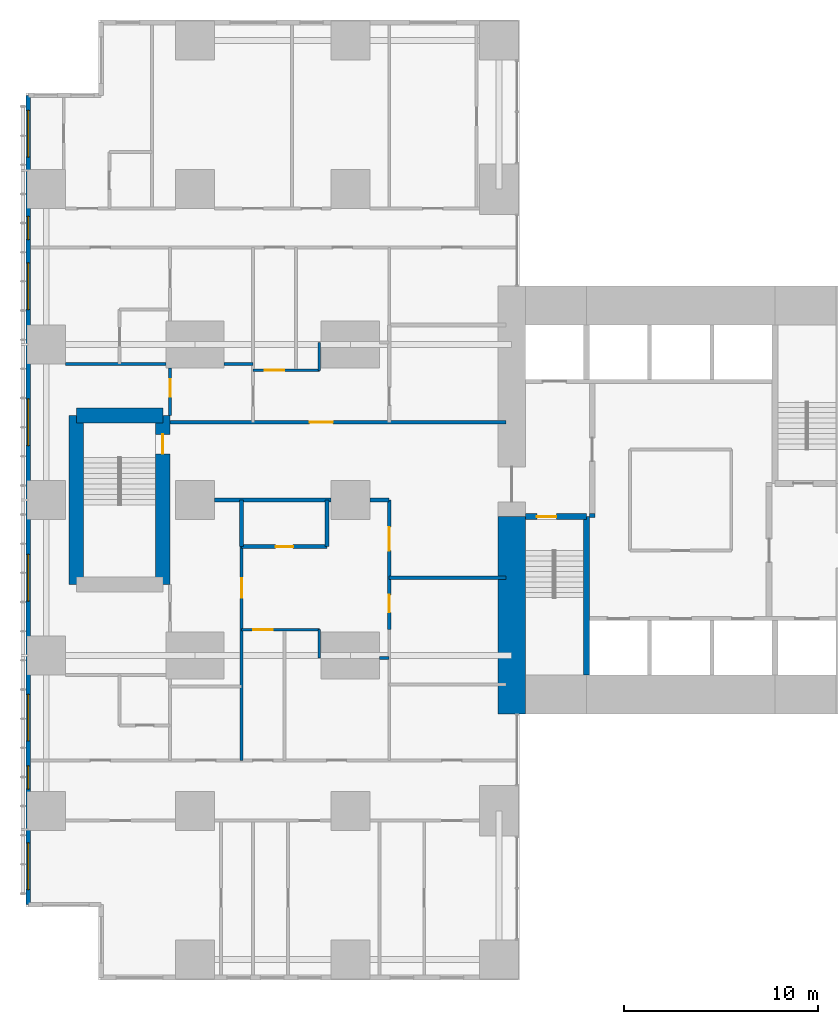
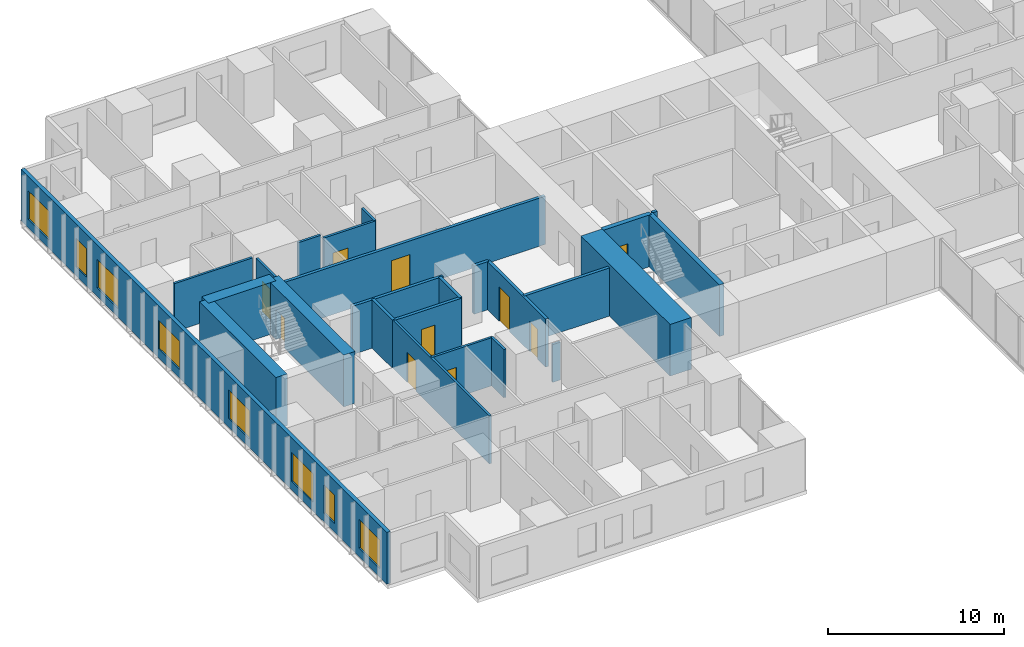
# One storey, part 13 of 20: 25 walls, 10 doors, 8 windows, 18 openings.
"""IFC4 building model written with IfcOpenShell, lengths in metres."""

from ifc_helpers import new_model, si_unit, direction, frame, frame_2d, origin, place, context, subcontext, project, spatial, rectangle, extrude, material, layer, layer_set, type_object, element, fill, save


model = new_model("IFC4")

# Units and contexts
model_context = context("Model", 3, precision=1e-05, world=origin(), true_north=direction((0.0, 1.0)))
body_context = subcontext(model_context, "Body", "Model", "MODEL_VIEW")
ifc_project = project(units=[si_unit("LENGTHUNIT", "METRE"), si_unit("AREAUNIT", "SQUARE_METRE"), si_unit("VOLUMEUNIT", "CUBIC_METRE"), si_unit("PLANEANGLEUNIT", "RADIAN"), si_unit("MASSUNIT", "GRAM", prefix="KILO")], contexts=[model_context])

# Site, building, storey
site_placement = place(None, origin())
site = spatial("IfcSite", under=ifc_project, at=site_placement, CompositionType="ELEMENT")
building_placement = place(site_placement, origin())
building = spatial("IfcBuilding", under=site, at=building_placement, Name="Cleftline Residences", CompositionType="ELEMENT")
storey_placement = place(building_placement, frame((0.0, 0.0, 33.199951171875)))
storey = spatial("IfcBuildingStorey", under=building, at=storey_placement, Name="L07", CompositionType="ELEMENT", Elevation=33.199951171875)

# Walls
ifc_material_1 = material(Name="Concrete B70", Category="concrete")
ifc_layer_1 = layer(ifc_material_1, 1.39990234375)
ifc_layer_set_1 = layer_set([ifc_layer_1], Name="CORE WALL 1400")
wall_type_1 = type_object("IfcWallType", Name="CORE WALL 1400", PredefinedType="SHEAR", material=ifc_layer_set_1)
wall_1_placement = place(storey_placement, frame((24.300048828125, 13.0, 0.0), z_axis=(0.0, 0.0, 1.0), x_axis=(0.0, 1.0, 0.0)))
element("IfcWall", 1, at=wall_1_placement, inside=storey, type_object=wall_type_1, Name="Core wall W0", PredefinedType="SHEAR", context=body_context, shape_type="SweptSolid", body=[
    extrude(rectangle(XDim=10.14990234375, YDim=1.39990234375, at=frame_2d((5.074951171875, 0.0))), origin(), (0.0, 0.0, 1.0), 3.60009765625),
])
ifc_material_2 = material(Name="Concrete B70", Category="concrete")
ifc_layer_2 = layer(ifc_material_2, 0.300048828125)
ifc_layer_set_2 = layer_set([ifc_layer_2], Name="CORE WALL 300")
wall_type_2 = type_object("IfcWallType", Name="CORE WALL 300", PredefinedType="SHEAR", material=ifc_layer_set_2)
wall_2_placement = place(storey_placement, frame((28.14990234375, 15.0, 0.0), z_axis=(0.0, 0.0, 1.0), x_axis=(0.0, 1.0, 0.0)))
element("IfcWall", 2, at=wall_2_placement, inside=storey, type_object=wall_type_2, Name="Core wall SA-E", PredefinedType="SHEAR", context=body_context, shape_type="SweptSolid", body=[
    extrude(rectangle(XDim=8.14990234375, YDim=0.300048828125, at=frame_2d((4.074951171875, 0.0))), origin(), (0.0, 0.0, 1.0), 3.60009765625),
])

# Wall, opening, door
wall_3_placement = place(storey_placement, frame((25.0, 23.14990234375, 0.0), z_axis=(0.0, 0.0, 1.0), x_axis=(1.0, 0.0, 0.0)))
wall_3 = element("IfcWall", 3, at=wall_3_placement, inside=storey, type_object=wall_type_2, Name="Core wall SA-N", PredefinedType="SHEAR", context=body_context, shape_type="SweptSolid", body=[
    extrude(rectangle(XDim=3.14990234375, YDim=0.300048828125, at=frame_2d((1.574951171875, 0.0))), origin(), (0.0, 0.0, 1.0), 3.60009765625),
])
opening_1_placement = place(wall_3_placement, frame((0.60009765625, 0.0, 0.0)))
opening_1 = element("IfcOpeningElement", 4, at=opening_1_placement, cuts=wall_3, Name="Opening D5", PredefinedType="OPENING", context=body_context, shape_type="SweptSolid", body=[
    extrude(rectangle(XDim=1.0, YDim=2.10009765625, at=frame_2d((0.5, 1.050048828125))), frame((0.0, 0.159912109375, 0.0), z_axis=(0.0, -1.0, 0.0), x_axis=(1.0, 0.0, 0.0)), (0.0, 0.0, 1.0), 0.320068359375),
])
ifc_material_3 = material(Name="Steel", Category="steel")
door_type_1 = type_object("IfcDoorType", Name="STAIR DOOR 1000X2100", OperationType="SINGLE_SWING_LEFT", PredefinedType="DOOR", material=ifc_material_3)
door_1_placement = place(opening_1_placement, origin())
door_1 = element("IfcDoor", 5, at=door_1_placement, inside=storey, type_object=door_type_1, Name="Stair A door", OperationType="SINGLE_SWING_RIGHT", OverallHeight=2.10009765625, OverallWidth=1.0, PredefinedType="DOOR", context=body_context, shape_type="SweptSolid", body=[
    extrude(rectangle(XDim=1.0, YDim=2.10009765625, at=frame_2d((0.5, 1.050048828125))), frame((0.0, 0.02490234375, 0.0), z_axis=(0.0, -1.0, 0.0), x_axis=(1.0, 0.0, 0.0)), (0.0, 0.0, 1.0), 0.050048828125),
])
fill(opening_1, door_1)

# Wall, openings, windows
ifc_material_4 = material(Name="Rendered reinforced concrete blockwork", Category="masonry")
ifc_layer_3 = layer(ifc_material_4, 0.25)
ifc_layer_set_3 = layer_set([ifc_layer_3], Name="EXTERNAL WALL 250")
wall_type_3 = type_object("IfcWallType", Name="EXTERNAL WALL 250", PredefinedType="SOLIDWALL", material=ifc_layer_set_3)
wall_4_placement = place(storey_placement, frame((-0.574951171875, 44.824951171875, 0.0), z_axis=(0.0, 0.0, 1.0), x_axis=(0.0, -1.0, 0.0)))
wall_4 = element("IfcWall", 6, at=wall_4_placement, inside=storey, type_object=wall_type_3, Name="External wall", PredefinedType="SOLIDWALL", context=body_context, shape_type="SweptSolid", body=[
    extrude(rectangle(XDim=41.64990234375, YDim=0.25, at=frame_2d((20.824951171875, 0.0))), origin(), (0.0, 0.0, 1.0), 3.60009765625),
])
opening_2_placement = place(wall_4_placement, frame((0.77490234375, 0.0, 0.60009765625)))
opening_2 = element("IfcOpeningElement", 7, at=opening_2_placement, cuts=wall_4, Name="Opening W6", PredefinedType="OPENING", context=body_context, shape_type="SweptSolid", body=[
    extrude(rectangle(XDim=2.39990234375, YDim=2.0, at=frame_2d((1.199951171875, 1.0))), frame((0.0, 0.135009765625, 0.0), z_axis=(0.0, -1.0, 0.0), x_axis=(1.0, 0.0, 0.0)), (0.0, 0.0, 1.0), 0.27001953125),
])
opening_3_placement = place(wall_4_placement, frame((6.22509765625, 0.0, 0.60009765625)))
opening_3 = element("IfcOpeningElement", 8, at=opening_3_placement, cuts=wall_4, Name="Opening W8", PredefinedType="OPENING", context=body_context, shape_type="SweptSolid", body=[
    extrude(rectangle(XDim=1.199951171875, YDim=2.0, at=frame_2d((0.60009765625, 1.0))), frame((0.0, 0.135009765625, 0.0), z_axis=(0.0, -1.0, 0.0), x_axis=(1.0, 0.0, 0.0)), (0.0, 0.0, 1.0), 0.27001953125),
])
opening_4_placement = place(wall_4_placement, frame((8.625, 0.0, 0.60009765625)))
opening_4 = element("IfcOpeningElement", 9, at=opening_4_placement, cuts=wall_4, Name="Opening W6", PredefinedType="OPENING", context=body_context, shape_type="SweptSolid", body=[
    extrude(rectangle(XDim=2.39990234375, YDim=2.0, at=frame_2d((1.199951171875, 1.0))), frame((0.0, 0.135009765625, 0.0), z_axis=(0.0, -1.0, 0.0), x_axis=(1.0, 0.0, 0.0)), (0.0, 0.0, 1.0), 0.27001953125),
])
opening_5_placement = place(wall_4_placement, frame((15.625, 0.0, 0.60009765625)))
opening_5 = element("IfcOpeningElement", 10, at=opening_5_placement, cuts=wall_4, Name="Opening W6", PredefinedType="OPENING", context=body_context, shape_type="SweptSolid", body=[
    extrude(rectangle(XDim=2.39990234375, YDim=2.0, at=frame_2d((1.199951171875, 1.0))), frame((0.0, 0.135009765625, 0.0), z_axis=(0.0, -1.0, 0.0), x_axis=(1.0, 0.0, 0.0)), (0.0, 0.0, 1.0), 0.27001953125),
])
opening_6_placement = place(wall_4_placement, frame((23.625, 0.0, 0.60009765625)))
opening_6 = element("IfcOpeningElement", 11, at=opening_6_placement, cuts=wall_4, Name="Opening W6", PredefinedType="OPENING", context=body_context, shape_type="SweptSolid", body=[
    extrude(rectangle(XDim=2.39990234375, YDim=2.0, at=frame_2d((1.199951171875, 1.0))), frame((0.0, 0.135009765625, 0.0), z_axis=(0.0, -1.0, 0.0), x_axis=(1.0, 0.0, 0.0)), (0.0, 0.0, 1.0), 0.27001953125),
])
opening_7_placement = place(wall_4_placement, frame((30.824951171875, 0.0, 0.60009765625)))
opening_7 = element("IfcOpeningElement", 12, at=opening_7_placement, cuts=wall_4, Name="Opening W6", PredefinedType="OPENING", context=body_context, shape_type="SweptSolid", body=[
    extrude(rectangle(XDim=2.39990234375, YDim=2.0, at=frame_2d((1.199951171875, 1.0))), frame((0.0, 0.135009765625, 0.0), z_axis=(0.0, -1.0, 0.0), x_axis=(1.0, 0.0, 0.0)), (0.0, 0.0, 1.0), 0.27001953125),
])
opening_8_placement = place(wall_4_placement, frame((34.5, 0.0, 0.60009765625)))
opening_8 = element("IfcOpeningElement", 13, at=opening_8_placement, cuts=wall_4, Name="Opening W8", PredefinedType="OPENING", context=body_context, shape_type="SweptSolid", body=[
    extrude(rectangle(XDim=1.199951171875, YDim=2.0, at=frame_2d((0.60009765625, 1.0))), frame((0.0, 0.135009765625, 0.0), z_axis=(0.0, -1.0, 0.0), x_axis=(1.0, 0.0, 0.0)), (0.0, 0.0, 1.0), 0.27001953125),
])
opening_9_placement = place(wall_4_placement, frame((38.47509765625, 0.0, 0.60009765625)))
opening_9 = element("IfcOpeningElement", 14, at=opening_9_placement, cuts=wall_4, Name="Opening W6", PredefinedType="OPENING", context=body_context, shape_type="SweptSolid", body=[
    extrude(rectangle(XDim=2.39990234375, YDim=2.0, at=frame_2d((1.199951171875, 1.0))), frame((0.0, 0.135009765625, 0.0), z_axis=(0.0, -1.0, 0.0), x_axis=(1.0, 0.0, 0.0)), (0.0, 0.0, 1.0), 0.27001953125),
])
ifc_material_5 = material(Name="Aluminium frame, clear double glazing", Category="aluminium")
window_type_1 = type_object("IfcWindowType", Name="WINDOW 1200X2000", PartitioningType="DOUBLE_PANEL_VERTICAL", PredefinedType="WINDOW", material=ifc_material_5)
window_1_placement = place(opening_3_placement, origin())
window_1 = element("IfcWindow", 15, at=window_1_placement, inside=storey, type_object=window_type_1, Name="Window", OverallHeight=2.0, OverallWidth=1.199951171875, PartitioningType="SINGLE_PANEL", PredefinedType="WINDOW", context=body_context, shape_type="SweptSolid", body=[
    extrude(rectangle(XDim=1.199951171875, YDim=2.0, at=frame_2d((0.60009765625, 1.0))), frame((0.0, 0.030029296875, 0.0), z_axis=(0.0, -1.0, 0.0), x_axis=(1.0, 0.0, 0.0)), (0.0, 0.0, 1.0), 0.06005859375),
])
fill(opening_3, window_1)
window_2_placement = place(opening_8_placement, origin())
window_2 = element("IfcWindow", 16, at=window_2_placement, inside=storey, type_object=window_type_1, Name="Window", OverallHeight=2.0, OverallWidth=1.199951171875, PartitioningType="SINGLE_PANEL", PredefinedType="WINDOW", context=body_context, shape_type="SweptSolid", body=[
    extrude(rectangle(XDim=1.199951171875, YDim=2.0, at=frame_2d((0.60009765625, 1.0))), frame((0.0, 0.030029296875, 0.0), z_axis=(0.0, -1.0, 0.0), x_axis=(1.0, 0.0, 0.0)), (0.0, 0.0, 1.0), 0.06005859375),
])
fill(opening_8, window_2)
ifc_material_6 = material(Name="Aluminium frame, clear double glazing", Category="aluminium")
window_type_2 = type_object("IfcWindowType", Name="WINDOW 2400X2000", PartitioningType="DOUBLE_PANEL_VERTICAL", PredefinedType="WINDOW", material=ifc_material_6)
window_3_placement = place(opening_2_placement, origin())
window_3 = element("IfcWindow", 17, at=window_3_placement, inside=storey, type_object=window_type_2, Name="Window", OverallHeight=2.0, OverallWidth=2.39990234375, PartitioningType="SINGLE_PANEL", PredefinedType="WINDOW", context=body_context, shape_type="SweptSolid", body=[
    extrude(rectangle(XDim=2.39990234375, YDim=2.0, at=frame_2d((1.199951171875, 1.0))), frame((0.0, 0.030029296875, 0.0), z_axis=(0.0, -1.0, 0.0), x_axis=(1.0, 0.0, 0.0)), (0.0, 0.0, 1.0), 0.06005859375),
])
fill(opening_2, window_3)
window_4_placement = place(opening_4_placement, origin())
window_4 = element("IfcWindow", 18, at=window_4_placement, inside=storey, type_object=window_type_2, Name="Window", OverallHeight=2.0, OverallWidth=2.39990234375, PartitioningType="SINGLE_PANEL", PredefinedType="WINDOW", context=body_context, shape_type="SweptSolid", body=[
    extrude(rectangle(XDim=2.39990234375, YDim=2.0, at=frame_2d((1.199951171875, 1.0))), frame((0.0, 0.030029296875, 0.0), z_axis=(0.0, -1.0, 0.0), x_axis=(1.0, 0.0, 0.0)), (0.0, 0.0, 1.0), 0.06005859375),
])
fill(opening_4, window_4)
window_5_placement = place(opening_5_placement, origin())
window_5 = element("IfcWindow", 19, at=window_5_placement, inside=storey, type_object=window_type_2, Name="Window", OverallHeight=2.0, OverallWidth=2.39990234375, PartitioningType="SINGLE_PANEL", PredefinedType="WINDOW", context=body_context, shape_type="SweptSolid", body=[
    extrude(rectangle(XDim=2.39990234375, YDim=2.0, at=frame_2d((1.199951171875, 1.0))), frame((0.0, 0.030029296875, 0.0), z_axis=(0.0, -1.0, 0.0), x_axis=(1.0, 0.0, 0.0)), (0.0, 0.0, 1.0), 0.06005859375),
])
fill(opening_5, window_5)
window_6_placement = place(opening_6_placement, origin())
window_6 = element("IfcWindow", 20, at=window_6_placement, inside=storey, type_object=window_type_2, Name="Window", OverallHeight=2.0, OverallWidth=2.39990234375, PartitioningType="SINGLE_PANEL", PredefinedType="WINDOW", context=body_context, shape_type="SweptSolid", body=[
    extrude(rectangle(XDim=2.39990234375, YDim=2.0, at=frame_2d((1.199951171875, 1.0))), frame((0.0, 0.030029296875, 0.0), z_axis=(0.0, -1.0, 0.0), x_axis=(1.0, 0.0, 0.0)), (0.0, 0.0, 1.0), 0.06005859375),
])
fill(opening_6, window_6)
window_7_placement = place(opening_7_placement, origin())
window_7 = element("IfcWindow", 21, at=window_7_placement, inside=storey, type_object=window_type_2, Name="Window", OverallHeight=2.0, OverallWidth=2.39990234375, PartitioningType="SINGLE_PANEL", PredefinedType="WINDOW", context=body_context, shape_type="SweptSolid", body=[
    extrude(rectangle(XDim=2.39990234375, YDim=2.0, at=frame_2d((1.199951171875, 1.0))), frame((0.0, 0.030029296875, 0.0), z_axis=(0.0, -1.0, 0.0), x_axis=(1.0, 0.0, 0.0)), (0.0, 0.0, 1.0), 0.06005859375),
])
fill(opening_7, window_7)
window_8_placement = place(opening_9_placement, origin())
window_8 = element("IfcWindow", 22, at=window_8_placement, inside=storey, type_object=window_type_2, Name="Window", OverallHeight=2.0, OverallWidth=2.39990234375, PartitioningType="SINGLE_PANEL", PredefinedType="WINDOW", context=body_context, shape_type="SweptSolid", body=[
    extrude(rectangle(XDim=2.39990234375, YDim=2.0, at=frame_2d((1.199951171875, 1.0))), frame((0.0, 0.030029296875, 0.0), z_axis=(0.0, -1.0, 0.0), x_axis=(1.0, 0.0, 0.0)), (0.0, 0.0, 1.0), 0.06005859375),
])
fill(opening_9, window_8)

# Wall
ifc_material_7 = material(Name="Concrete blockwork, fire rated", Category="masonry")
ifc_layer_4 = layer(ifc_material_7, 0.199951171875)
ifc_layer_set_4 = layer_set([ifc_layer_4], Name="FIRE WALL 200")
wall_type_4 = type_object("IfcWallType", Name="FIRE WALL 200", PredefinedType="PARTITIONING", material=ifc_layer_set_4)
wall_5_placement = place(storey_placement, frame((18.0, 20.0, 0.0), z_axis=(0.0, 0.0, 1.0), x_axis=(1.0, 0.0, 0.0)))
element("IfcWall", 23, at=wall_5_placement, inside=storey, type_object=wall_type_4, Name="Fire separating wall", PredefinedType="PARTITIONING", context=body_context, shape_type="SweptSolid", body=[
    extrude(rectangle(XDim=6.0, YDim=0.199951171875, at=frame_2d((3.0, 0.0))), origin(), (0.0, 0.0, 1.0), 3.35009765625),
])

# Wall, opening, door
wall_6_placement = place(storey_placement, frame((10.39990234375, 21.60009765625, 0.0), z_axis=(0.0, 0.0, 1.0), x_axis=(1.0, 0.0, 0.0)))
wall_6 = element("IfcWall", 24, at=wall_6_placement, inside=storey, type_object=wall_type_4, Name="Fire separating wall", PredefinedType="PARTITIONING", context=body_context, shape_type="SweptSolid", body=[
    extrude(rectangle(XDim=4.400146484375, YDim=0.199951171875, at=frame_2d((2.2001953125, 0.0))), origin(), (0.0, 0.0, 1.0), 3.35009765625),
])
opening_10_placement = place(wall_6_placement, frame((1.75, 0.0, 0.0)))
opening_10 = element("IfcOpeningElement", 25, at=opening_10_placement, cuts=wall_6, Name="Opening D1F30", PredefinedType="OPENING", context=body_context, shape_type="SweptSolid", body=[
    extrude(rectangle(XDim=0.89990234375, YDim=2.10009765625, at=frame_2d((0.449951171875, 1.050048828125))), frame((0.0, 0.10986328125, 0.0), z_axis=(0.0, -1.0, 0.0), x_axis=(1.0, 0.0, 0.0)), (0.0, 0.0, 1.0), 0.219970703125),
])
ifc_material_8 = material(Name="Timber veneer on solid core", Category="wood")
door_type_2 = type_object("IfcDoorType", Name="DOOR 900X2100 EI 30", OperationType="SINGLE_SWING_LEFT", PredefinedType="DOOR", material=ifc_material_8)
door_2_placement = place(opening_10_placement, origin())
door_2 = element("IfcDoor", 26, at=door_2_placement, inside=storey, type_object=door_type_2, Name="Door to cloakroom wc", OperationType="SINGLE_SWING_LEFT", OverallHeight=2.10009765625, OverallWidth=0.89990234375, PredefinedType="DOOR", context=body_context, shape_type="SweptSolid", body=[
    extrude(rectangle(XDim=0.89990234375, YDim=2.10009765625, at=frame_2d((0.449951171875, 1.050048828125))), frame((0.0, 0.02490234375, 0.0), z_axis=(0.0, -1.0, 0.0), x_axis=(1.0, 0.0, 0.0)), (0.0, 0.0, 1.0), 0.050048828125),
])
fill(opening_10, door_2)

# Walls
wall_7_placement = place(storey_placement, frame((9.0, 24.0, 0.0), z_axis=(0.0, 0.0, 1.0), x_axis=(1.0, 0.0, 0.0)))
element("IfcWall", 27, at=wall_7_placement, inside=storey, type_object=wall_type_4, Name="Fire separating wall", PredefinedType="PARTITIONING", context=body_context, shape_type="SweptSolid", body=[
    extrude(rectangle(XDim=6.0, YDim=0.199951171875, at=frame_2d((3.0, 0.0))), origin(), (0.0, 0.0, 1.0), 3.35009765625),
])
wall_8_placement = place(storey_placement, frame((17.0, 24.0, 0.0), z_axis=(0.0, 0.0, 1.0), x_axis=(1.0, 0.0, 0.0)))
element("IfcWall", 28, at=wall_8_placement, inside=storey, type_object=wall_type_4, Name="Fire separating wall", PredefinedType="PARTITIONING", context=body_context, shape_type="SweptSolid", body=[
    extrude(rectangle(XDim=1.0, YDim=0.199951171875, at=frame_2d((0.5, 0.0))), origin(), (0.0, 0.0, 1.0), 3.35009765625),
])

# Wall, opening, door
wall_9_placement = place(storey_placement, frame((6.72509765625, 28.0, 0.0), z_axis=(0.0, 0.0, 1.0), x_axis=(1.0, 0.0, 0.0)))
wall_9 = element("IfcWall", 29, at=wall_9_placement, inside=storey, type_object=wall_type_4, Name="Fire separating wall", PredefinedType="PARTITIONING", context=body_context, shape_type="SweptSolid", body=[
    extrude(rectangle(XDim=17.27490234375, YDim=0.199951171875, at=frame_2d((8.637451171875, 0.0))), origin(), (0.0, 0.0, 1.0), 3.35009765625),
])
opening_11_placement = place(wall_9_placement, frame((7.175048828125, 0.0, 0.0)))
opening_11 = element("IfcOpeningElement", 30, at=opening_11_placement, cuts=wall_9, Name="Opening D4", PredefinedType="OPENING", context=body_context, shape_type="SweptSolid", body=[
    extrude(rectangle(XDim=1.199951171875, YDim=2.39990234375, at=frame_2d((0.60009765625, 1.199951171875))), frame((0.0, 0.10986328125, 0.0), z_axis=(0.0, -1.0, 0.0), x_axis=(1.0, 0.0, 0.0)), (0.0, 0.0, 1.0), 0.219970703125),
])
ifc_material_9 = material(Name="Timber veneer on solid core", Category="wood")
door_type_3 = type_object("IfcDoorType", Name="APARTMENT ENTRANCE DOOR 1200X2400", OperationType="SINGLE_SWING_RIGHT", PredefinedType="DOOR", material=ifc_material_9)
door_3_placement = place(opening_11_placement, origin())
door_3 = element("IfcDoor", 31, at=door_3_placement, inside=storey, type_object=door_type_3, Name="Door to residence entrance foyer", OperationType="SINGLE_SWING_RIGHT", OverallHeight=2.39990234375, OverallWidth=1.199951171875, PredefinedType="DOOR", context=body_context, shape_type="SweptSolid", body=[
    extrude(rectangle(XDim=1.199951171875, YDim=2.39990234375, at=frame_2d((0.60009765625, 1.199951171875))), frame((0.0, 0.02490234375, 0.0), z_axis=(0.0, -1.0, 0.0), x_axis=(1.0, 0.0, 0.0)), (0.0, 0.0, 1.0), 0.050048828125),
])
fill(opening_11, door_3)

# Walls
for number, where, z_axis, x_axis, name in (
    (32, (10.39990234375, 21.60009765625, 0.0), (0.0, 0.0, 1.0), (0.0, 1.0, 0.0), "Fire separating wall"),
    (33, (14.800048828125, 21.60009765625, 0.0), (0.0, 0.0, 1.0), (0.0, 1.0, 0.0), "Fire separating wall"),
):
    element("IfcWall", number, at=place(storey_placement, frame(where, z_axis=z_axis, x_axis=x_axis)), inside=storey, type_object=wall_type_4, Name=name, PredefinedType="PARTITIONING", context=body_context, shape_type="SweptSolid", body=[
        extrude(rectangle(XDim=2.39990234375, YDim=0.199951171875, at=frame_2d((1.199951171875, 0.0))), origin(), (0.0, 0.0, 1.0), 3.35009765625),
    ])

# Wall, openings, doors
wall_10_placement = place(storey_placement, frame((18.0, 17.324951171875, 0.0), z_axis=(0.0, 0.0, 1.0), x_axis=(0.0, 1.0, 0.0)))
wall_10 = element("IfcWall", 34, at=wall_10_placement, inside=storey, type_object=wall_type_4, Name="Fire separating wall", PredefinedType="PARTITIONING", context=body_context, shape_type="SweptSolid", body=[
    extrude(rectangle(XDim=6.675048828125, YDim=0.199951171875, at=frame_2d((3.33740234375, 0.0))), origin(), (0.0, 0.0, 1.0), 3.35009765625),
])
opening_12_placement = place(wall_10_placement, frame((4.074951171875, 0.0, 0.0)))
opening_12 = element("IfcOpeningElement", 35, at=opening_12_placement, cuts=wall_10, Name="Opening D4", PredefinedType="OPENING", context=body_context, shape_type="SweptSolid", body=[
    extrude(rectangle(XDim=1.199951171875, YDim=2.39990234375, at=frame_2d((0.60009765625, 1.199951171875))), frame((0.0, 0.10986328125, 0.0), z_axis=(0.0, -1.0, 0.0), x_axis=(1.0, 0.0, 0.0)), (0.0, 0.0, 1.0), 0.219970703125),
])
opening_13_placement = place(wall_10_placement, frame((0.887451171875, 0.0, 0.0)))
opening_13 = element("IfcOpeningElement", 36, at=opening_13_placement, cuts=wall_10, Name="Opening D1F30", PredefinedType="OPENING", context=body_context, shape_type="SweptSolid", body=[
    extrude(rectangle(XDim=0.89990234375, YDim=2.10009765625, at=frame_2d((0.449951171875, 1.050048828125))), frame((0.0, 0.10986328125, 0.0), z_axis=(0.0, -1.0, 0.0), x_axis=(1.0, 0.0, 0.0)), (0.0, 0.0, 1.0), 0.219970703125),
])
door_4_placement = place(opening_12_placement, origin())
door_4 = element("IfcDoor", 37, at=door_4_placement, inside=storey, type_object=door_type_3, Name="Door to residence entrance foyer", OperationType="SINGLE_SWING_LEFT", OverallHeight=2.39990234375, OverallWidth=1.199951171875, PredefinedType="DOOR", context=body_context, shape_type="SweptSolid", body=[
    extrude(rectangle(XDim=1.199951171875, YDim=2.39990234375, at=frame_2d((0.60009765625, 1.199951171875))), frame((0.0, 0.02490234375, 0.0), z_axis=(0.0, -1.0, 0.0), x_axis=(1.0, 0.0, 0.0)), (0.0, 0.0, 1.0), 0.050048828125),
])
fill(opening_12, door_4)
door_5_placement = place(opening_13_placement, origin())
door_5 = element("IfcDoor", 38, at=door_5_placement, inside=storey, type_object=door_type_2, Name="Door to utility room", OperationType="SINGLE_SWING_RIGHT", OverallHeight=2.10009765625, OverallWidth=0.89990234375, PredefinedType="DOOR", context=body_context, shape_type="SweptSolid", body=[
    extrude(rectangle(XDim=0.89990234375, YDim=2.10009765625, at=frame_2d((0.449951171875, 1.050048828125))), frame((0.0, 0.02490234375, 0.0), z_axis=(0.0, -1.0, 0.0), x_axis=(1.0, 0.0, 0.0)), (0.0, 0.0, 1.0), 0.050048828125),
])
fill(opening_13, door_5)

# Walls
wall_11_placement = place(storey_placement, frame((28.300048828125, 23.199951171875, 0.0), z_axis=(0.0, 0.0, 1.0), x_axis=(1.0, 0.0, 0.0)))
element("IfcWall", 39, at=wall_11_placement, inside=storey, type_object=wall_type_4, Name="Fire separating wall", PredefinedType="PARTITIONING", context=body_context, shape_type="SweptSolid", body=[
    extrude(rectangle(XDim=0.300048828125, YDim=0.199951171875, at=frame_2d((0.14990234375, 0.0))), origin(), (0.0, 0.0, 1.0), 3.60009765625),
])
ifc_material_10 = material(Name="Gypsum board on steel studs", Category="steel")
ifc_layer_5 = layer(ifc_material_10, 0.14990234375)
ifc_layer_set_5 = layer_set([ifc_layer_5], Name="PARTITION 150")
wall_type_5 = type_object("IfcWallType", Name="PARTITION 150", PredefinedType="PARTITIONING", material=ifc_layer_set_5)
wall_12_placement = place(storey_placement, frame((17.5, 15.875, 0.0), z_axis=(0.0, 0.0, 1.0), x_axis=(1.0, 0.0, 0.0)))
element("IfcWall", 40, at=wall_12_placement, inside=storey, type_object=wall_type_5, Name="Partition", PredefinedType="PARTITIONING", context=body_context, shape_type="SweptSolid", body=[
    extrude(rectangle(XDim=0.5, YDim=0.14990234375, at=frame_2d((0.25, 0.0))), origin(), (0.0, 0.0, 1.0), 2.634033203125),
])

# Wall, opening, door
wall_13_placement = place(storey_placement, frame((10.39990234375, 17.324951171875, 0.0), z_axis=(0.0, 0.0, 1.0), x_axis=(1.0, 0.0, 0.0)))
wall_13 = element("IfcWall", 41, at=wall_13_placement, inside=storey, type_object=wall_type_5, Name="Partition", PredefinedType="PARTITIONING", context=body_context, shape_type="SweptSolid", body=[
    extrude(rectangle(XDim=4.0, YDim=0.14990234375, at=frame_2d((2.0, 0.0))), origin(), (0.0, 0.0, 1.0), 3.35009765625),
])
opening_14_placement = place(wall_13_placement, frame((0.60009765625, 0.0, 0.0)))
opening_14 = element("IfcOpeningElement", 42, at=opening_14_placement, cuts=wall_13, Name="Opening D2", PredefinedType="OPENING", context=body_context, shape_type="SweptSolid", body=[
    extrude(rectangle(XDim=1.0, YDim=2.10009765625, at=frame_2d((0.5, 1.050048828125))), frame((0.0, 0.0849609375, 0.0), z_axis=(0.0, -1.0, 0.0), x_axis=(1.0, 0.0, 0.0)), (0.0, 0.0, 1.0), 0.169921875),
])
ifc_material_11 = material(Name="Timber veneer on solid core", Category="wood")
door_type_4 = type_object("IfcDoorType", Name="DOOR 1000X2100", OperationType="SINGLE_SWING_LEFT", PredefinedType="DOOR", material=ifc_material_11)
door_6_placement = place(opening_14_placement, origin())
door_6 = element("IfcDoor", 43, at=door_6_placement, inside=storey, type_object=door_type_4, Name="Door to residence passage", OperationType="SINGLE_SWING_RIGHT", OverallHeight=2.10009765625, OverallWidth=1.0, PredefinedType="DOOR", context=body_context, shape_type="SweptSolid", body=[
    extrude(rectangle(XDim=1.0, YDim=2.10009765625, at=frame_2d((0.5, 1.050048828125))), frame((0.0, 0.02490234375, 0.0), z_axis=(0.0, -1.0, 0.0), x_axis=(1.0, 0.0, 0.0)), (0.0, 0.0, 1.0), 0.050048828125),
])
fill(opening_14, door_6)

wall_14_placement = place(storey_placement, frame((11.0, 30.675048828125, 0.0), z_axis=(0.0, 0.0, 1.0), x_axis=(1.0, 0.0, 0.0)))
wall_14 = element("IfcWall", 44, at=wall_14_placement, inside=storey, type_object=wall_type_5, Name="Partition", PredefinedType="PARTITIONING", context=body_context, shape_type="SweptSolid", body=[
    extrude(rectangle(XDim=3.39990234375, YDim=0.14990234375, at=frame_2d((1.699951171875, 0.0))), origin(), (0.0, 0.0, 1.0), 3.35009765625),
])
opening_15_placement = place(wall_14_placement, frame((0.60009765625, 0.0, 0.0)))
opening_15 = element("IfcOpeningElement", 45, at=opening_15_placement, cuts=wall_14, Name="Opening D2", PredefinedType="OPENING", context=body_context, shape_type="SweptSolid", body=[
    extrude(rectangle(XDim=1.0, YDim=2.10009765625, at=frame_2d((0.5, 1.050048828125))), frame((0.0, 0.0849609375, 0.0), z_axis=(0.0, -1.0, 0.0), x_axis=(1.0, 0.0, 0.0)), (0.0, 0.0, 1.0), 0.169921875),
])
door_7_placement = place(opening_15_placement, origin())
door_7 = element("IfcDoor", 46, at=door_7_placement, inside=storey, type_object=door_type_4, Name="Door to residence passage", OperationType="SINGLE_SWING_RIGHT", OverallHeight=2.10009765625, OverallWidth=1.0, PredefinedType="DOOR", context=body_context, shape_type="SweptSolid", body=[
    extrude(rectangle(XDim=1.0, YDim=2.10009765625, at=frame_2d((0.5, 1.050048828125))), frame((0.0, 0.02490234375, 0.0), z_axis=(0.0, -1.0, 0.0), x_axis=(1.0, 0.0, 0.0)), (0.0, 0.0, 1.0), 0.050048828125),
])
fill(opening_15, door_7)

# Walls
wall_15_placement = place(storey_placement, frame((1.35009765625, 31.0, 0.0), z_axis=(0.0, 0.0, 1.0), x_axis=(1.0, 0.0, 0.0)))
element("IfcWall", 47, at=wall_15_placement, inside=storey, type_object=wall_type_5, Name="Partition", PredefinedType="PARTITIONING", context=body_context, shape_type="SweptSolid", body=[
    extrude(rectangle(XDim=5.14990234375, YDim=0.14990234375, at=frame_2d((2.574951171875, 0.0))), origin(), (0.0, 0.0, 1.0), 3.35009765625),
])
wall_16_placement = place(storey_placement, frame((9.5, 31.0, 0.0), z_axis=(0.0, 0.0, 1.0), x_axis=(1.0, 0.0, 0.0)))
element("IfcWall", 48, at=wall_16_placement, inside=storey, type_object=wall_type_5, Name="Partition", PredefinedType="PARTITIONING", context=body_context, shape_type="SweptSolid", body=[
    extrude(rectangle(XDim=1.5, YDim=0.14990234375, at=frame_2d((0.75, 0.0))), origin(), (0.0, 0.0, 1.0), 3.35009765625),
])

# Wall, opening, door
wall_17_placement = place(storey_placement, frame((6.72509765625, 28.35009765625, 0.0), z_axis=(0.0, 0.0, 1.0), x_axis=(0.0, 1.0, 0.0)))
wall_17 = element("IfcWall", 49, at=wall_17_placement, inside=storey, type_object=wall_type_5, Name="Partition", PredefinedType="PARTITIONING", context=body_context, shape_type="SweptSolid", body=[
    extrude(rectangle(XDim=2.449951171875, YDim=0.14990234375, at=frame_2d((1.22509765625, 0.0))), origin(), (0.0, 0.0, 1.0), 3.35009765625),
])
opening_16_placement = place(wall_17_placement, frame((0.96240234375, 0.0, 0.0)))
opening_16 = element("IfcOpeningElement", 50, at=opening_16_placement, cuts=wall_17, Name="Opening D1", PredefinedType="OPENING", context=body_context, shape_type="SweptSolid", body=[
    extrude(rectangle(XDim=0.89990234375, YDim=2.10009765625, at=frame_2d((0.449951171875, 1.050048828125))), frame((0.0, 0.0849609375, 0.0), z_axis=(0.0, -1.0, 0.0), x_axis=(1.0, 0.0, 0.0)), (0.0, 0.0, 1.0), 0.169921875),
])
ifc_material_12 = material(Name="Timber veneer on solid core", Category="wood")
door_type_5 = type_object("IfcDoorType", Name="DOOR 900X2100", OperationType="SINGLE_SWING_LEFT", PredefinedType="DOOR", material=ifc_material_12)
door_8_placement = place(opening_16_placement, origin())
door_8 = element("IfcDoor", 51, at=door_8_placement, inside=storey, type_object=door_type_5, Name="Door to service loggia", OperationType="SINGLE_SWING_LEFT", OverallHeight=2.10009765625, OverallWidth=0.89990234375, PredefinedType="DOOR", context=body_context, shape_type="SweptSolid", body=[
    extrude(rectangle(XDim=0.89990234375, YDim=2.10009765625, at=frame_2d((0.449951171875, 1.050048828125))), frame((0.0, 0.02490234375, 0.0), z_axis=(0.0, -1.0, 0.0), x_axis=(1.0, 0.0, 0.0)), (0.0, 0.0, 1.0), 0.050048828125),
])
fill(opening_16, door_8)

wall_18_placement = place(storey_placement, frame((10.39990234375, 10.60009765625, 0.0), z_axis=(0.0, 0.0, 1.0), x_axis=(0.0, 1.0, 0.0)))
wall_18 = element("IfcWall", 52, at=wall_18_placement, inside=storey, type_object=wall_type_5, Name="Partition", PredefinedType="PARTITIONING", context=body_context, shape_type="SweptSolid", body=[
    extrude(rectangle(XDim=11.0, YDim=0.14990234375, at=frame_2d((5.5, 0.0))), origin(), (0.0, 0.0, 1.0), 3.35009765625),
])
opening_17_placement = place(wall_18_placement, frame((8.362548828125, 0.0, 0.0)))
opening_17 = element("IfcOpeningElement", 53, at=opening_17_placement, cuts=wall_18, Name="Opening D2F30", PredefinedType="OPENING", context=body_context, shape_type="SweptSolid", body=[
    extrude(rectangle(XDim=1.0, YDim=2.10009765625, at=frame_2d((0.5, 1.050048828125))), frame((0.0, 0.0849609375, 0.0), z_axis=(0.0, -1.0, 0.0), x_axis=(1.0, 0.0, 0.0)), (0.0, 0.0, 1.0), 0.169921875),
])
ifc_material_13 = material(Name="Timber veneer on solid core", Category="wood")
door_type_6 = type_object("IfcDoorType", Name="DOOR 1000X2100 EI 30", OperationType="SINGLE_SWING_LEFT", PredefinedType="DOOR", material=ifc_material_13)
door_9_placement = place(opening_17_placement, origin())
door_9 = element("IfcDoor", 54, at=door_9_placement, inside=storey, type_object=door_type_6, Name="Door to residence lobby (service)", OperationType="SINGLE_SWING_LEFT", OverallHeight=2.10009765625, OverallWidth=1.0, PredefinedType="DOOR", context=body_context, shape_type="SweptSolid", body=[
    extrude(rectangle(XDim=1.0, YDim=2.10009765625, at=frame_2d((0.5, 1.050048828125))), frame((0.0, 0.02490234375, 0.0), z_axis=(0.0, -1.0, 0.0), x_axis=(1.0, 0.0, 0.0)), (0.0, 0.0, 1.0), 0.050048828125),
])
fill(opening_17, door_9)

# Walls
wall_19_placement = place(storey_placement, frame((14.39990234375, 15.875, 0.0), z_axis=(0.0, 0.0, 1.0), x_axis=(0.0, 1.0, 0.0)))
element("IfcWall", 55, at=wall_19_placement, inside=storey, type_object=wall_type_5, Name="Partition", PredefinedType="PARTITIONING", context=body_context, shape_type="SweptSolid", body=[
    extrude(rectangle(XDim=1.449951171875, YDim=0.14990234375, at=frame_2d((0.72509765625, 0.0))), origin(), (0.0, 0.0, 1.0), 3.35009765625),
])
wall_20_placement = place(storey_placement, frame((14.39990234375, 30.675048828125, 0.0), z_axis=(0.0, 0.0, 1.0), x_axis=(0.0, 1.0, 0.0)))
element("IfcWall", 56, at=wall_20_placement, inside=storey, type_object=wall_type_5, Name="Partition", PredefinedType="PARTITIONING", context=body_context, shape_type="SweptSolid", body=[
    extrude(rectangle(XDim=1.425048828125, YDim=0.14990234375, at=frame_2d((0.71240234375, 0.0))), origin(), (0.0, 0.0, 1.0), 3.35009765625),
])

# Wall, opening, door
ifc_material_14 = material(Name="Concrete B70", Category="concrete")
ifc_layer_6 = layer(ifc_material_14, 0.75)
ifc_layer_set_6 = layer_set([ifc_layer_6], Name="SHEAR WALL 750")
wall_type_6 = type_object("IfcWallType", Name="SHEAR WALL 750", PredefinedType="SHEAR", material=ifc_layer_set_6)
wall_21_placement = place(storey_placement, frame((6.35009765625, 19.64990234375, 0.0), z_axis=(0.0, 0.0, 1.0), x_axis=(0.0, 1.0, 0.0)))
wall_21 = element("IfcWall", 57, at=wall_21_placement, inside=storey, type_object=wall_type_6, Name="Wing shear wall", PredefinedType="SHEAR", context=body_context, shape_type="SweptSolid", body=[
    extrude(rectangle(XDim=8.7001953125, YDim=0.75, at=frame_2d((4.35009765625, 0.0))), origin(), (0.0, 0.0, 1.0), 3.60009765625),
])
opening_18_placement = place(wall_21_placement, frame((6.72509765625, 0.0, 0.0)))
opening_18 = element("IfcOpeningElement", 58, at=opening_18_placement, cuts=wall_21, Name="Opening D5", PredefinedType="OPENING", context=body_context, shape_type="SweptSolid", body=[
    extrude(rectangle(XDim=1.0, YDim=2.10009765625, at=frame_2d((0.5, 1.050048828125))), frame((0.0, 0.385009765625, 0.0), z_axis=(0.0, -1.0, 0.0), x_axis=(1.0, 0.0, 0.0)), (0.0, 0.0, 1.0), 0.77001953125),
])
door_10_placement = place(opening_18_placement, origin())
door_10 = element("IfcDoor", 59, at=door_10_placement, inside=storey, type_object=door_type_1, Name="Stair W door", OperationType="SINGLE_SWING_LEFT", OverallHeight=2.10009765625, OverallWidth=1.0, PredefinedType="DOOR", context=body_context, shape_type="SweptSolid", body=[
    extrude(rectangle(XDim=1.0, YDim=2.10009765625, at=frame_2d((0.5, 1.050048828125))), frame((0.0, 0.02490234375, 0.0), z_axis=(0.0, -1.0, 0.0), x_axis=(1.0, 0.0, 0.0)), (0.0, 0.0, 1.0), 0.050048828125),
])
fill(opening_18, door_10)

# Walls
wall_22_placement = place(storey_placement, frame((6.35009765625, 28.35009765625, 0.0), z_axis=(0.0, 0.0, 1.0), x_axis=(-1.0, 0.0, 0.0)))
element("IfcWall", 60, at=wall_22_placement, inside=storey, type_object=wall_type_6, Name="Wing shear wall", PredefinedType="SHEAR", context=body_context, shape_type="SweptSolid", body=[
    extrude(rectangle(XDim=4.4501953125, YDim=0.75, at=frame_2d((2.22509765625, 0.0))), origin(), (0.0, 0.0, 1.0), 3.60009765625),
])
wall_23_placement = place(storey_placement, frame((1.89990234375, 28.35009765625, 0.0), z_axis=(0.0, 0.0, 1.0), x_axis=(0.0, -1.0, 0.0)))
element("IfcWall", 61, at=wall_23_placement, inside=storey, type_object=wall_type_6, Name="Wing shear wall", PredefinedType="SHEAR", context=body_context, shape_type="SweptSolid", body=[
    extrude(rectangle(XDim=8.7001953125, YDim=0.75, at=frame_2d((4.35009765625, 0.0))), origin(), (0.0, 0.0, 1.0), 3.60009765625),
])

save(model, "model.ifc")
